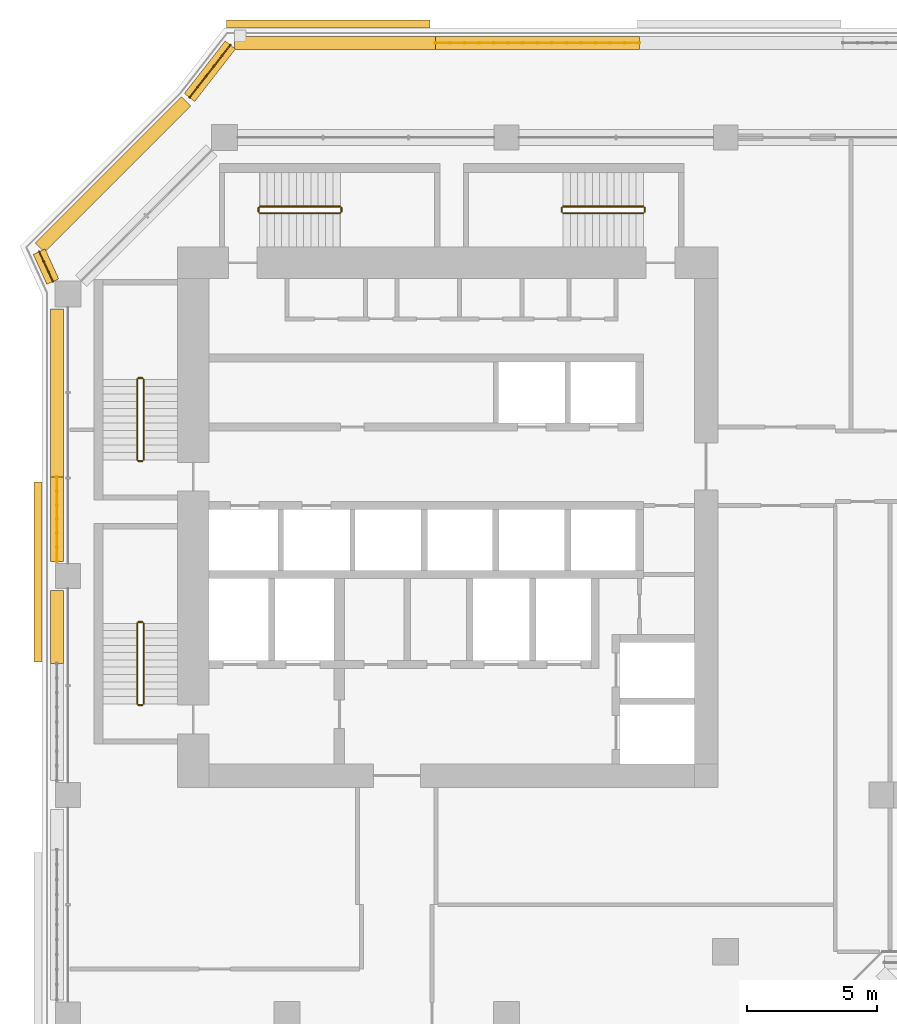
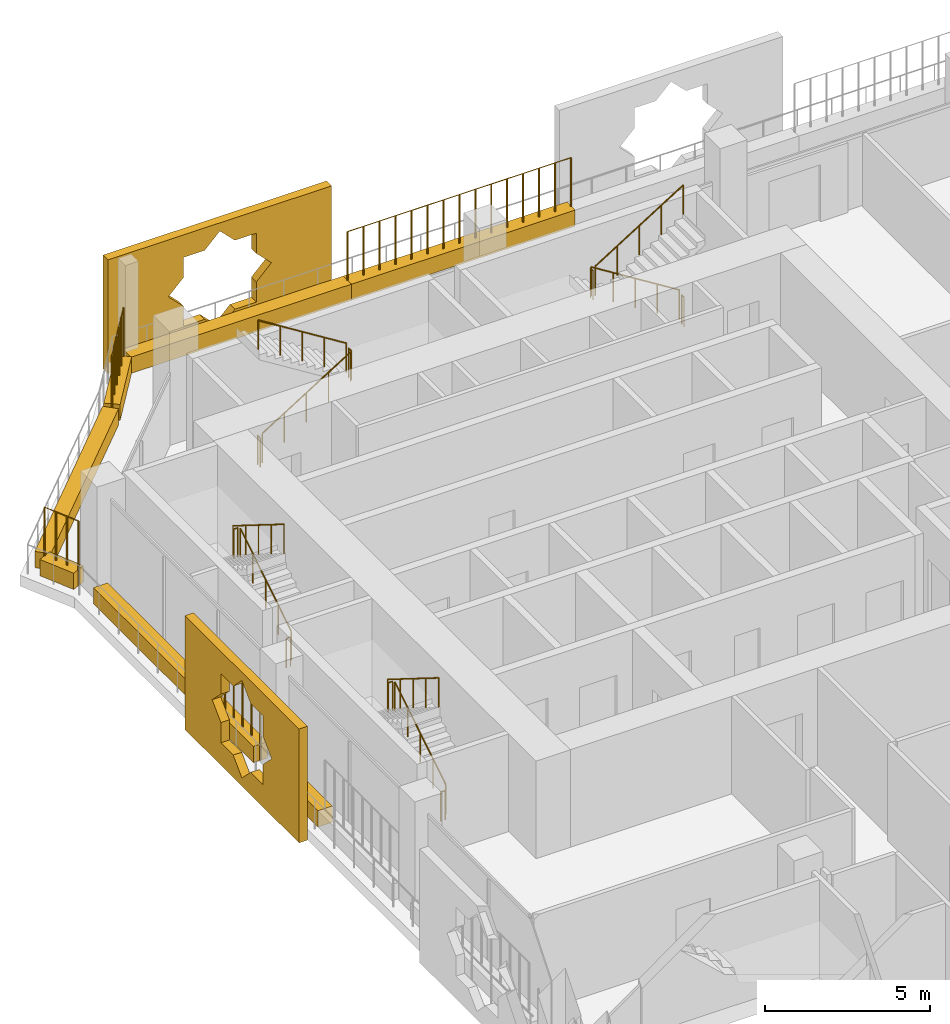
# One storey, part 20 of 22: 20 railings, 10 coverings.
"""IFC4 building model written with IfcOpenShell, lengths in metres."""

from ifc_helpers import new_model, si_unit, direction, frame, origin, origin_2d, place, context, subcontext, project, spatial, polyline, rectangle, circle, outline, extrude, material, material_profile, profile_set, type_object, element, save


model = new_model("IFC4")

# Units and contexts
model_context = context("Model", 3, precision=1e-05, world=origin(), true_north=direction((0.0, 1.0)))
body_context = subcontext(model_context, "Body", "Model", "MODEL_VIEW")
ifc_project = project(units=[si_unit("LENGTHUNIT", "METRE"), si_unit("AREAUNIT", "SQUARE_METRE"), si_unit("VOLUMEUNIT", "CUBIC_METRE"), si_unit("PLANEANGLEUNIT", "RADIAN"), si_unit("MASSUNIT", "GRAM", prefix="KILO")], contexts=[model_context])

# Site, building, storey
site_placement = place(None, origin())
site = spatial("IfcSite", under=ifc_project, at=site_placement, CompositionType="ELEMENT")
building_placement = place(site_placement, origin())
building = spatial("IfcBuilding", under=site, at=building_placement, Name="Kawkab Arch Medical Tower", CompositionType="ELEMENT")
storey_placement = place(building_placement, frame((0.0, 0.0, 196.199951171875)))
storey = spatial("IfcBuildingStorey", under=building, at=storey_placement, Name="L45", CompositionType="ELEMENT", Elevation=196.199951171875)

# Coverings
ifc_material_1 = material(Name="Bronze anodised aluminium mashrabiya panel, eight-point star pattern", Category="aluminium")
ifc_material_profile_1 = material_profile(ifc_material_1, outline(polyline([(-3.449951171875, -2.10009765625), (3.449951171875, -2.10009765625), (3.449951171875, 2.10009765625), (-3.449951171875, 2.10009765625), (-3.449951171875, -2.10009765625)]), holes=[polyline([(1.800048828125, 0.0), (1.272705078125, 0.527099609375), (1.272705078125, 1.272705078125), (0.527099609375, 1.272705078125), (0.0, 1.800048828125), (-0.527099609375, 1.272705078125), (-1.272705078125, 1.272705078125), (-1.272705078125, 0.527099609375), (-1.800048828125, 0.0), (-1.272705078125, -0.527099609375), (-1.272705078125, -1.272705078125), (-0.527099609375, -1.272705078125), (0.0, -1.800048828125), (0.527099609375, -1.272705078125), (1.272705078125, -1.272705078125), (1.272705078125, -0.527099609375), (1.800048828125, 0.0)])]), Name="Mashrabiya panel 6900x4200")
ifc_profile_set_1 = profile_set([ifc_material_profile_1], Name="Bronze anodised aluminium mashrabiya panel, eight-point star pattern")
covering_type_1 = type_object("IfcCoveringType", Name="Mashrabiya panel 6900 x 4200", PredefinedType="USERDEFINED", material=ifc_profile_set_1)
covering_1_placement = place(storey_placement, frame((-1.0, -16.64892578125, 1.699951171875), z_axis=(-1.0, 0.0, 0.0), x_axis=(0.0, -1.0, 0.0)))
element("IfcCovering", 1, at=covering_1_placement, inside=storey, type_object=covering_type_1, Name="Mashrabiya panel L45.LOG-01-01.4", ObjectType="SCREEN", PredefinedType="USERDEFINED", context=body_context, shape_type="SweptSolid", body=[
    extrude(outline(polyline([(-3.449951171875, -2.10009765625), (3.449951171875, -2.10009765625), (3.449951171875, 2.10009765625), (-3.449951171875, 2.10009765625), (-3.449951171875, -2.10009765625)]), holes=[polyline([(1.800048828125, 0.0), (1.272705078125, 0.527099609375), (1.272705078125, 1.272705078125), (0.527099609375, 1.272705078125), (0.0, 1.800048828125), (-0.527099609375, 1.272705078125), (-1.272705078125, 1.272705078125), (-1.272705078125, 0.527099609375), (-1.800048828125, 0.0), (-1.272705078125, -0.527099609375), (-1.272705078125, -1.272705078125), (-0.527099609375, -1.272705078125), (0.0, -1.800048828125), (0.527099609375, -1.272705078125), (1.272705078125, -1.272705078125), (1.272705078125, -0.527099609375), (1.800048828125, 0.0)])]), origin(), (0.0, 0.0, 1.0), 0.300048828125),
])
ifc_material_2 = material(Name="Bronze anodised aluminium mashrabiya panel, eight-point star pattern", Category="aluminium")
ifc_material_profile_2 = material_profile(ifc_material_2, outline(polyline([(-3.89990234375, -2.10009765625), (3.89990234375, -2.10009765625), (3.89990234375, 2.10009765625), (-3.89990234375, 2.10009765625), (-3.89990234375, -2.10009765625)]), holes=[polyline([(1.800048828125, 0.0), (1.272705078125, 0.527099609375), (1.272705078125, 1.272705078125), (0.527099609375, 1.272705078125), (0.0, 1.800048828125), (-0.527099609375, 1.272705078125), (-1.272705078125, 1.272705078125), (-1.272705078125, 0.527099609375), (-1.800048828125, 0.0), (-1.272705078125, -0.527099609375), (-1.272705078125, -1.272705078125), (-0.527099609375, -1.272705078125), (0.0, -1.800048828125), (0.527099609375, -1.272705078125), (1.272705078125, -1.272705078125), (1.272705078125, -0.527099609375), (1.800048828125, 0.0)])]), Name="Mashrabiya panel 7800x4200")
ifc_profile_set_2 = profile_set([ifc_material_profile_2], Name="Bronze anodised aluminium mashrabiya panel, eight-point star pattern")
covering_type_2 = type_object("IfcCoveringType", Name="Mashrabiya panel 7800 x 4200", PredefinedType="USERDEFINED", material=ifc_profile_set_2)
covering_2_placement = place(storey_placement, frame((9.967041015625, 4.199951171875, 1.699951171875), z_axis=(0.0, 1.0, 0.0), x_axis=(-1.0, 0.0, 0.0)))
element("IfcCovering", 2, at=covering_2_placement, inside=storey, type_object=covering_type_2, Name="Mashrabiya panel L45.LOG-01-01.5", ObjectType="SCREEN", PredefinedType="USERDEFINED", context=body_context, shape_type="SweptSolid", body=[
    extrude(outline(polyline([(-3.89990234375, -2.10009765625), (3.89990234375, -2.10009765625), (3.89990234375, 2.10009765625), (-3.89990234375, 2.10009765625), (-3.89990234375, -2.10009765625)]), holes=[polyline([(1.800048828125, 0.0), (1.272705078125, 0.527099609375), (1.272705078125, 1.272705078125), (0.527099609375, 1.272705078125), (0.0, 1.800048828125), (-0.527099609375, 1.272705078125), (-1.272705078125, 1.272705078125), (-1.272705078125, 0.527099609375), (-1.800048828125, 0.0), (-1.272705078125, -0.527099609375), (-1.272705078125, -1.272705078125), (-0.527099609375, -1.272705078125), (0.0, -1.800048828125), (0.527099609375, -1.272705078125), (1.272705078125, -1.272705078125), (1.272705078125, -0.527099609375), (1.800048828125, 0.0)])]), origin(), (0.0, 0.0, 1.0), 0.300048828125),
])
ifc_material_3 = material(Name="Planting soil in a precast trough", Category="concrete")
ifc_material_profile_3 = material_profile(ifc_material_3, rectangle(XDim=0.5, YDim=0.60009765625, at=origin_2d()), Name="Trough 500x600")
ifc_profile_set_3 = profile_set([ifc_material_profile_3], Name="Planting soil in a precast trough")
covering_type_3 = type_object("IfcCoveringType", Name="Planter trough 500 x 600", PredefinedType="USERDEFINED", material=ifc_profile_set_3)
covering_3_placement = place(storey_placement, frame((-0.419921875, -20.157958984375, 0.300048828125), z_axis=(0.0, 1.0, 0.0), x_axis=(-1.0, 0.0, 0.0)))
element("IfcCovering", 3, at=covering_3_placement, inside=storey, type_object=covering_type_3, Name="Planter L45.LOG-01-01.12", ObjectType="PLANTER", PredefinedType="USERDEFINED", context=body_context, shape_type="SweptSolid", body=[
    extrude(rectangle(XDim=0.5, YDim=0.60009765625, at=origin_2d()), origin(), (0.0, 0.0, 1.0), 2.802978515625),
])
covering_4_placement = place(storey_placement, frame((-0.419921875, -16.2451171875, 0.300048828125), z_axis=(0.0, 1.0, 0.0), x_axis=(-1.0, 0.0, 0.0)))
element("IfcCovering", 4, at=covering_4_placement, inside=storey, type_object=covering_type_3, Name="Planter L45.LOG-01-01.13", ObjectType="PLANTER", PredefinedType="USERDEFINED", context=body_context, shape_type="SweptSolid", body=[
    extrude(rectangle(XDim=0.5, YDim=0.60009765625, at=origin_2d()), origin(), (0.0, 0.0, 1.0), 3.22900390625),
])
covering_5_placement = place(storey_placement, frame((-0.419921875, -13.01611328125, 0.300048828125), z_axis=(0.0, 1.0, 0.0), x_axis=(-1.0, 0.0, 0.0)))
element("IfcCovering", 5, at=covering_5_placement, inside=storey, type_object=covering_type_3, Name="Planter L45.LOG-01-01.14", ObjectType="PLANTER", PredefinedType="USERDEFINED", context=body_context, shape_type="SweptSolid", body=[
    extrude(rectangle(XDim=0.5, YDim=0.60009765625, at=origin_2d()), origin(), (0.0, 0.0, 1.0), 6.43603515625),
])
covering_6_placement = place(storey_placement, frame((-0.580078125, -5.52294921875, 0.300048828125), z_axis=(-0.415089762627, 0.909780461959, 0.0), x_axis=(-0.909780461959, -0.415089762627, 0.0)))
element("IfcCovering", 6, at=covering_6_placement, inside=storey, type_object=covering_type_3, Name="Planter L45.LOG-01-01.15", ObjectType="PLANTER", PredefinedType="USERDEFINED", context=body_context, shape_type="SweptSolid", body=[
    extrude(rectangle(XDim=0.5, YDim=0.60009765625, at=origin_2d()), origin(), (0.0, 0.0, 1.0), 1.257568359375),
])
covering_7_placement = place(storey_placement, frame((-1.072998046875, -4.217041015625, 0.300048828125), z_axis=(0.707106781187, 0.707106781187, 0.0), x_axis=(-0.707106781187, 0.707106781187, 0.0)))
element("IfcCovering", 7, at=covering_7_placement, inside=storey, type_object=covering_type_3, Name="Planter L45.LOG-01-01.16", ObjectType="PLANTER", PredefinedType="USERDEFINED", context=body_context, shape_type="SweptSolid", body=[
    extrude(rectangle(XDim=0.5, YDim=0.60009765625, at=origin_2d()), origin(), (0.0, 0.0, 1.0), 7.919677734375),
])
covering_8_placement = place(storey_placement, frame((4.658935546875, 1.531982421875, 0.300048828125), z_axis=(0.61404021143, 0.789274742246, 0.0), x_axis=(-0.789274742246, 0.61404021143, 0.0)))
element("IfcCovering", 8, at=covering_8_placement, inside=storey, type_object=covering_type_3, Name="Planter L45.LOG-01-01.17", ObjectType="PLANTER", PredefinedType="USERDEFINED", context=body_context, shape_type="SweptSolid", body=[
    extrude(rectangle(XDim=0.5, YDim=0.60009765625, at=origin_2d()), origin(), (0.0, 0.0, 1.0), 2.54541015625),
])
covering_9_placement = place(storey_placement, frame((6.384033203125, 3.6201171875, 0.300048828125), z_axis=(1.0, 0.0, 0.0), x_axis=(0.0, 1.0, 0.0)))
element("IfcCovering", 9, at=covering_9_placement, inside=storey, type_object=covering_type_3, Name="Planter L45.LOG-01-01.18", ObjectType="PLANTER", PredefinedType="USERDEFINED", context=body_context, shape_type="SweptSolid", body=[
    extrude(rectangle(XDim=0.5, YDim=0.60009765625, at=origin_2d()), origin(), (0.0, 0.0, 1.0), 7.703857421875),
])
covering_10_placement = place(storey_placement, frame((14.087890625, 3.6201171875, 0.300048828125), z_axis=(1.0, 0.0, 0.0), x_axis=(0.0, 1.0, 0.0)))
element("IfcCovering", 10, at=covering_10_placement, inside=storey, type_object=covering_type_3, Name="Planter L45.LOG-01-01.19", ObjectType="PLANTER", PredefinedType="USERDEFINED", context=body_context, shape_type="SweptSolid", body=[
    extrude(rectangle(XDim=0.5, YDim=0.60009765625, at=origin_2d()), origin(), (0.0, 0.0, 1.0), 7.80517578125),
])

# Railings
ifc_material_4 = material(Name="Bronze anodised aluminium trellis for climbing plants", Category="aluminium")
railing_type_1 = type_object("IfcRailingType", Name="Planting trellis 2400", PredefinedType="USERDEFINED", material=ifc_material_4)
railing_1_placement = place(storey_placement, frame((-0.419921875, -16.2451171875, 0.0)))
element("IfcRailing", 11, at=railing_1_placement, inside=storey, type_object=railing_type_1, Name="Planting trellis L45.LOG-01-01.13", ObjectType="TRELLIS", PredefinedType="USERDEFINED", context=body_context, shape_type="SweptSolid", body=[
    extrude(circle(Radius=0.01513671875, at=origin_2d()), frame((0.0, 0.0, 2.384765625), z_axis=(0.0, 1.0, 0.0), x_axis=(-1.0, 0.0, 0.0)), (0.0, 0.0, 1.0), 3.22900390625),
    extrude(circle(Radius=0.030029296875, at=origin_2d()), origin(), (0.0, 0.0, 1.0), 2.369873046875),
    extrude(circle(Radius=0.030029296875, at=origin_2d()), frame((0.0, 0.5380859375, 0.0)), (0.0, 0.0, 1.0), 2.369873046875),
    extrude(circle(Radius=0.030029296875, at=origin_2d()), frame((0.0, 1.076416015625, 0.0)), (0.0, 0.0, 1.0), 2.369873046875),
    extrude(circle(Radius=0.030029296875, at=origin_2d()), frame((0.0, 1.614501953125, 0.0)), (0.0, 0.0, 1.0), 2.369873046875),
    extrude(circle(Radius=0.030029296875, at=origin_2d()), frame((0.0, 2.152587890625, 0.0)), (0.0, 0.0, 1.0), 2.369873046875),
    extrude(circle(Radius=0.030029296875, at=origin_2d()), frame((0.0, 2.69091796875, 0.0)), (0.0, 0.0, 1.0), 2.369873046875),
    extrude(circle(Radius=0.030029296875, at=origin_2d()), frame((0.0, 3.22900390625, 0.0)), (0.0, 0.0, 1.0), 2.369873046875),
])
railing_2_placement = place(storey_placement, frame((-0.580078125, -5.52294921875, 0.0)))
element("IfcRailing", 12, at=railing_2_placement, inside=storey, type_object=railing_type_1, Name="Planting trellis L45.LOG-01-01.15", ObjectType="TRELLIS", PredefinedType="USERDEFINED", context=body_context, shape_type="SweptSolid", body=[
    extrude(circle(Radius=0.01513671875, at=origin_2d()), frame((0.0, 0.0, 2.384765625), z_axis=(-0.415089762627, 0.909780461959, 0.0), x_axis=(-0.909780461959, -0.415089762627, 0.0)), (0.0, 0.0, 1.0), 1.257568359375),
    extrude(circle(Radius=0.030029296875, at=origin_2d()), origin(), (0.0, 0.0, 1.0), 2.369873046875),
    extrude(circle(Radius=0.030029296875, at=origin_2d()), frame((-0.174072265625, 0.38134765625, 0.0)), (0.0, 0.0, 1.0), 2.369873046875),
    extrude(circle(Radius=0.030029296875, at=origin_2d()), frame((-0.347900390625, 0.7626953125, 0.0)), (0.0, 0.0, 1.0), 2.369873046875),
    extrude(circle(Radius=0.030029296875, at=origin_2d()), frame((-0.52197265625, 1.14404296875, 0.0)), (0.0, 0.0, 1.0), 2.369873046875),
])
railing_3_placement = place(storey_placement, frame((4.658935546875, 1.531982421875, 0.0)))
element("IfcRailing", 13, at=railing_3_placement, inside=storey, type_object=railing_type_1, Name="Planting trellis L45.LOG-01-01.17", ObjectType="TRELLIS", PredefinedType="USERDEFINED", context=body_context, shape_type="SweptSolid", body=[
    extrude(circle(Radius=0.01513671875, at=origin_2d()), frame((0.0, 0.0, 2.384765625), z_axis=(0.61404021143, 0.789274742246, 0.0), x_axis=(-0.789274742246, 0.61404021143, 0.0)), (0.0, 0.0, 1.0), 2.54541015625),
    extrude(circle(Radius=0.030029296875, at=origin_2d()), origin(), (0.0, 0.0, 1.0), 2.369873046875),
    extrude(circle(Radius=0.030029296875, at=origin_2d()), frame((0.3125, 0.40185546875, 0.0)), (0.0, 0.0, 1.0), 2.369873046875),
    extrude(circle(Radius=0.030029296875, at=origin_2d()), frame((0.625244140625, 0.8037109375, 0.0)), (0.0, 0.0, 1.0), 2.369873046875),
    extrude(circle(Radius=0.030029296875, at=origin_2d()), frame((0.937744140625, 1.205322265625, 0.0)), (0.0, 0.0, 1.0), 2.369873046875),
    extrude(circle(Radius=0.030029296875, at=origin_2d()), frame((1.25048828125, 1.607177734375, 0.0)), (0.0, 0.0, 1.0), 2.369873046875),
    extrude(circle(Radius=0.030029296875, at=origin_2d()), frame((1.56298828125, 2.009033203125, 0.0)), (0.0, 0.0, 1.0), 2.369873046875),
])
railing_4_placement = place(storey_placement, frame((14.087890625, 3.6201171875, 0.0)))
element("IfcRailing", 14, at=railing_4_placement, inside=storey, type_object=railing_type_1, Name="Planting trellis L45.LOG-01-01.19", ObjectType="TRELLIS", PredefinedType="USERDEFINED", context=body_context, shape_type="SweptSolid", body=[
    extrude(circle(Radius=0.01513671875, at=origin_2d()), frame((0.0, 0.0, 2.384765625), z_axis=(1.0, 0.0, 0.0), x_axis=(0.0, 1.0, 0.0)), (0.0, 0.0, 1.0), 7.80517578125),
    extrude(circle(Radius=0.030029296875, at=origin_2d()), origin(), (0.0, 0.0, 1.0), 2.369873046875),
    extrude(circle(Radius=0.030029296875, at=origin_2d()), frame((0.5576171875, 0.0, 0.0)), (0.0, 0.0, 1.0), 2.369873046875),
    extrude(circle(Radius=0.030029296875, at=origin_2d()), frame((1.114990234375, 0.0, 0.0)), (0.0, 0.0, 1.0), 2.369873046875),
    extrude(circle(Radius=0.030029296875, at=origin_2d()), frame((1.672607421875, 0.0, 0.0)), (0.0, 0.0, 1.0), 2.369873046875),
    extrude(circle(Radius=0.030029296875, at=origin_2d()), frame((2.22998046875, 0.0, 0.0)), (0.0, 0.0, 1.0), 2.369873046875),
    extrude(circle(Radius=0.030029296875, at=origin_2d()), frame((2.78759765625, 0.0, 0.0)), (0.0, 0.0, 1.0), 2.369873046875),
    extrude(circle(Radius=0.030029296875, at=origin_2d()), frame((3.344970703125, 0.0, 0.0)), (0.0, 0.0, 1.0), 2.369873046875),
    extrude(circle(Radius=0.030029296875, at=origin_2d()), frame((3.902587890625, 0.0, 0.0)), (0.0, 0.0, 1.0), 2.369873046875),
    extrude(circle(Radius=0.030029296875, at=origin_2d()), frame((4.460205078125, 0.0, 0.0)), (0.0, 0.0, 1.0), 2.369873046875),
    extrude(circle(Radius=0.030029296875, at=origin_2d()), frame((5.017578125, 0.0, 0.0)), (0.0, 0.0, 1.0), 2.369873046875),
    extrude(circle(Radius=0.030029296875, at=origin_2d()), frame((5.5751953125, 0.0, 0.0)), (0.0, 0.0, 1.0), 2.369873046875),
    extrude(circle(Radius=0.030029296875, at=origin_2d()), frame((6.132568359375, 0.0, 0.0)), (0.0, 0.0, 1.0), 2.369873046875),
    extrude(circle(Radius=0.030029296875, at=origin_2d()), frame((6.690185546875, 0.0, 0.0)), (0.0, 0.0, 1.0), 2.369873046875),
    extrude(circle(Radius=0.030029296875, at=origin_2d()), frame((7.24755859375, 0.0, 0.0)), (0.0, 0.0, 1.0), 2.369873046875),
    extrude(circle(Radius=0.030029296875, at=origin_2d()), frame((7.80517578125, 0.0, 0.0)), (0.0, 0.0, 1.0), 2.369873046875),
])
ifc_material_5 = material(Name="Stainless steel", Category="steel")
railing_type_2 = type_object("IfcRailingType", Name="Stair guard 1100", PredefinedType="GUARDRAIL", material=ifc_material_5)
railing_5_placement = place(storey_placement, frame((2.89990234375, -12.35009765625, 0.175048828125)))
element("IfcRailing", 15, at=railing_5_placement, inside=storey, type_object=railing_type_2, Name="L45 ST1 stair guard 1", PredefinedType="GUARDRAIL", context=body_context, shape_type="SweptSolid", body=[
    extrude(circle(Radius=0.02392578125, at=origin_2d()), frame((0.0, 0.0, 1.076171875), z_axis=(0.0, 0.847998304005, 0.529998940003), x_axis=(-1.0, 0.0, 0.0)), (0.0, 0.0, 1.0), 3.632080078125),
    extrude(circle(Radius=0.02099609375, at=origin_2d()), origin(), (0.0, 0.0, 1.0), 1.052001953125),
    extrude(circle(Radius=0.02099609375, at=origin_2d()), frame((0.0, 0.77001953125, 0.481201171875)), (0.0, 0.0, 1.0), 1.052001953125),
    extrude(circle(Radius=0.02099609375, at=origin_2d()), frame((0.0, 1.5400390625, 0.96240234375)), (0.0, 0.0, 1.0), 1.052001953125),
    extrude(circle(Radius=0.02099609375, at=origin_2d()), frame((0.0, 2.31005859375, 1.44384765625)), (0.0, 0.0, 1.0), 1.052001953125),
    extrude(circle(Radius=0.02099609375, at=origin_2d()), frame((0.0, 3.080078125, 1.925048828125)), (0.0, 0.0, 1.0), 1.052001953125),
])
railing_6_placement = place(storey_placement, frame((2.85009765625, -9.219970703125, 2.10009765625)))
element("IfcRailing", 16, at=railing_6_placement, inside=storey, type_object=railing_type_2, Name="L45 ST1 stair guard 2", PredefinedType="GUARDRAIL", context=body_context, shape_type="SweptSolid", body=[
    extrude(circle(Radius=0.02392578125, at=origin_2d()), frame((0.0, 0.0, 1.076171875), z_axis=(-1.0, 0.0, 0.0), x_axis=(0.0, -1.0, 0.0)), (0.0, 0.0, 1.0), 0.150146484375),
    extrude(circle(Radius=0.02099609375, at=origin_2d()), origin(), (0.0, 0.0, 1.0), 1.052001953125),
    extrude(circle(Radius=0.02099609375, at=origin_2d()), frame((-0.150146484375, 0.0, 0.0)), (0.0, 0.0, 1.0), 1.052001953125),
])
railing_7_placement = place(storey_placement, frame((2.64990234375, -9.27001953125, 2.275146484375)))
element("IfcRailing", 17, at=railing_7_placement, inside=storey, type_object=railing_type_2, Name="L45 ST1 stair guard 3", PredefinedType="GUARDRAIL", context=body_context, shape_type="SweptSolid", body=[
    extrude(circle(Radius=0.02392578125, at=origin_2d()), frame((0.0, 0.0, 1.076171875), z_axis=(0.0, -0.848028513186, 0.529950602248), x_axis=(1.0, 0.0, 0.0)), (0.0, 0.0, 1.0), 3.632080078125),
    extrude(circle(Radius=0.02099609375, at=origin_2d()), origin(), (0.0, 0.0, 1.0), 1.052001953125),
    extrude(circle(Radius=0.02099609375, at=origin_2d()), frame((0.0, -0.77001953125, 0.481201171875)), (0.0, 0.0, 1.0), 1.052001953125),
    extrude(circle(Radius=0.02099609375, at=origin_2d()), frame((0.0, -1.5400390625, 0.96240234375)), (0.0, 0.0, 1.0), 1.052001953125),
    extrude(circle(Radius=0.02099609375, at=origin_2d()), frame((0.0, -2.31005859375, 1.443603515625)), (0.0, 0.0, 1.0), 1.052001953125),
    extrude(circle(Radius=0.02099609375, at=origin_2d()), frame((0.0, -3.080078125, 1.9248046875)), (0.0, 0.0, 1.0), 1.052001953125),
])
railing_8_placement = place(storey_placement, frame((2.85009765625, -12.39990234375, 0.0)))
element("IfcRailing", 18, at=railing_8_placement, inside=storey, type_object=railing_type_2, Name="L45 ST1 stair guard 4", PredefinedType="GUARDRAIL", context=body_context, shape_type="SweptSolid", body=[
    extrude(circle(Radius=0.02392578125, at=origin_2d()), frame((0.0, 0.0, 1.076171875), z_axis=(-1.0, 0.0, 0.0), x_axis=(0.0, -1.0, 0.0)), (0.0, 0.0, 1.0), 0.150146484375),
    extrude(circle(Radius=0.02099609375, at=origin_2d()), origin(), (0.0, 0.0, 1.0), 1.052001953125),
    extrude(circle(Radius=0.02099609375, at=origin_2d()), frame((-0.150146484375, 0.0, 0.0)), (0.0, 0.0, 1.0), 1.052001953125),
])
railing_9_placement = place(storey_placement, frame((2.89990234375, -21.699951171875, 0.175048828125)))
element("IfcRailing", 19, at=railing_9_placement, inside=storey, type_object=railing_type_2, Name="L45 ST2 stair guard 1", PredefinedType="GUARDRAIL", context=body_context, shape_type="SweptSolid", body=[
    extrude(circle(Radius=0.02392578125, at=origin_2d()), frame((0.0, 0.0, 1.076171875), z_axis=(0.0, 0.847979421464, 0.530029150871), x_axis=(-1.0, 0.0, 0.0)), (0.0, 0.0, 1.0), 3.632080078125),
    extrude(circle(Radius=0.02099609375, at=origin_2d()), origin(), (0.0, 0.0, 1.0), 1.052001953125),
    extrude(circle(Radius=0.02099609375, at=origin_2d()), frame((0.0, 0.77001953125, 0.481201171875)), (0.0, 0.0, 1.0), 1.052001953125),
    extrude(circle(Radius=0.02099609375, at=origin_2d()), frame((0.0, 1.5400390625, 0.96240234375)), (0.0, 0.0, 1.0), 1.052001953125),
    extrude(circle(Radius=0.02099609375, at=origin_2d()), frame((0.0, 2.309814453125, 1.44384765625)), (0.0, 0.0, 1.0), 1.052001953125),
    extrude(circle(Radius=0.02099609375, at=origin_2d()), frame((0.0, 3.079833984375, 1.925048828125)), (0.0, 0.0, 1.0), 1.052001953125),
])
railing_10_placement = place(storey_placement, frame((2.85009765625, -18.570068359375, 2.10009765625)))
element("IfcRailing", 20, at=railing_10_placement, inside=storey, type_object=railing_type_2, Name="L45 ST2 stair guard 2", PredefinedType="GUARDRAIL", context=body_context, shape_type="SweptSolid", body=[
    extrude(circle(Radius=0.02392578125, at=origin_2d()), frame((0.0, 0.0, 1.076171875), z_axis=(-1.0, 0.0, 0.0), x_axis=(0.0, -1.0, 0.0)), (0.0, 0.0, 1.0), 0.150146484375),
    extrude(circle(Radius=0.02099609375, at=origin_2d()), origin(), (0.0, 0.0, 1.0), 1.052001953125),
    extrude(circle(Radius=0.02099609375, at=origin_2d()), frame((-0.150146484375, 0.0, 0.0)), (0.0, 0.0, 1.0), 1.052001953125),
])
railing_11_placement = place(storey_placement, frame((2.64990234375, -18.6201171875, 2.275146484375)))
element("IfcRailing", 21, at=railing_11_placement, inside=storey, type_object=railing_type_2, Name="L45 ST2 stair guard 3", PredefinedType="GUARDRAIL", context=body_context, shape_type="SweptSolid", body=[
    extrude(circle(Radius=0.02392578125, at=origin_2d()), frame((0.0, 0.0, 1.076171875), z_axis=(0.0, -0.848009633417, 0.529980812513), x_axis=(1.0, 0.0, 0.0)), (0.0, 0.0, 1.0), 3.6318359375),
    extrude(circle(Radius=0.02099609375, at=origin_2d()), origin(), (0.0, 0.0, 1.0), 1.052001953125),
    extrude(circle(Radius=0.02099609375, at=origin_2d()), frame((0.0, -0.77001953125, 0.481201171875)), (0.0, 0.0, 1.0), 1.052001953125),
    extrude(circle(Radius=0.02099609375, at=origin_2d()), frame((0.0, -1.5400390625, 0.96240234375)), (0.0, 0.0, 1.0), 1.052001953125),
    extrude(circle(Radius=0.02099609375, at=origin_2d()), frame((0.0, -2.309814453125, 1.443603515625)), (0.0, 0.0, 1.0), 1.052001953125),
    extrude(circle(Radius=0.02099609375, at=origin_2d()), frame((0.0, -3.079833984375, 1.9248046875)), (0.0, 0.0, 1.0), 1.052001953125),
])
railing_12_placement = place(storey_placement, frame((2.85009765625, -21.75, 0.0)))
element("IfcRailing", 22, at=railing_12_placement, inside=storey, type_object=railing_type_2, Name="L45 ST2 stair guard 4", PredefinedType="GUARDRAIL", context=body_context, shape_type="SweptSolid", body=[
    extrude(circle(Radius=0.02392578125, at=origin_2d()), frame((0.0, 0.0, 1.076171875), z_axis=(-1.0, 0.0, 0.0), x_axis=(0.0, -1.0, 0.0)), (0.0, 0.0, 1.0), 0.150146484375),
    extrude(circle(Radius=0.02099609375, at=origin_2d()), origin(), (0.0, 0.0, 1.0), 1.052001953125),
    extrude(circle(Radius=0.02099609375, at=origin_2d()), frame((-0.150146484375, 0.0, 0.0)), (0.0, 0.0, 1.0), 1.052001953125),
])
railing_13_placement = place(storey_placement, frame((7.35009765625, -2.89990234375, 0.175048828125)))
element("IfcRailing", 23, at=railing_13_placement, inside=storey, type_object=railing_type_2, Name="L45 ST3 stair guard 1", PredefinedType="GUARDRAIL", context=body_context, shape_type="SweptSolid", body=[
    extrude(circle(Radius=0.02392578125, at=origin_2d()), frame((0.0, 0.0, 1.076171875), z_axis=(0.847979421464, 0.0, 0.530029150871), x_axis=(0.0, 1.0, 0.0)), (0.0, 0.0, 1.0), 3.632080078125),
    extrude(circle(Radius=0.02099609375, at=origin_2d()), origin(), (0.0, 0.0, 1.0), 1.052001953125),
    extrude(circle(Radius=0.02099609375, at=origin_2d()), frame((0.77001953125, 0.0, 0.481201171875)), (0.0, 0.0, 1.0), 1.052001953125),
    extrude(circle(Radius=0.02099609375, at=origin_2d()), frame((1.5400390625, 0.0, 0.96240234375)), (0.0, 0.0, 1.0), 1.052001953125),
    extrude(circle(Radius=0.02099609375, at=origin_2d()), frame((2.309814453125, 0.0, 1.44384765625)), (0.0, 0.0, 1.0), 1.052001953125),
    extrude(circle(Radius=0.02099609375, at=origin_2d()), frame((3.079833984375, 0.0, 1.925048828125)), (0.0, 0.0, 1.0), 1.052001953125),
])
railing_14_placement = place(storey_placement, frame((10.47998046875, -2.85009765625, 2.10009765625)))
element("IfcRailing", 24, at=railing_14_placement, inside=storey, type_object=railing_type_2, Name="L45 ST3 stair guard 2", PredefinedType="GUARDRAIL", context=body_context, shape_type="SweptSolid", body=[
    extrude(circle(Radius=0.02392578125, at=origin_2d()), frame((0.0, 0.0, 1.076171875), z_axis=(0.0, 1.0, 0.0), x_axis=(-1.0, 0.0, 0.0)), (0.0, 0.0, 1.0), 0.150146484375),
    extrude(circle(Radius=0.02099609375, at=origin_2d()), origin(), (0.0, 0.0, 1.0), 1.052001953125),
    extrude(circle(Radius=0.02099609375, at=origin_2d()), frame((0.0, 0.150146484375, 0.0)), (0.0, 0.0, 1.0), 1.052001953125),
])
railing_15_placement = place(storey_placement, frame((10.429931640625, -2.64990234375, 2.275146484375)))
element("IfcRailing", 25, at=railing_15_placement, inside=storey, type_object=railing_type_2, Name="L45 ST3 stair guard 3", PredefinedType="GUARDRAIL", context=body_context, shape_type="SweptSolid", body=[
    extrude(circle(Radius=0.02392578125, at=origin_2d()), frame((0.0, 0.0, 1.076171875), z_axis=(-0.848009633417, 0.0, 0.529980812513), x_axis=(0.0, -1.0, 0.0)), (0.0, 0.0, 1.0), 3.6318359375),
    extrude(circle(Radius=0.02099609375, at=origin_2d()), origin(), (0.0, 0.0, 1.0), 1.052001953125),
    extrude(circle(Radius=0.02099609375, at=origin_2d()), frame((-0.77001953125, 0.0, 0.481201171875)), (0.0, 0.0, 1.0), 1.052001953125),
    extrude(circle(Radius=0.02099609375, at=origin_2d()), frame((-1.5400390625, 0.0, 0.96240234375)), (0.0, 0.0, 1.0), 1.052001953125),
    extrude(circle(Radius=0.02099609375, at=origin_2d()), frame((-2.309814453125, 0.0, 1.443603515625)), (0.0, 0.0, 1.0), 1.052001953125),
    extrude(circle(Radius=0.02099609375, at=origin_2d()), frame((-3.079833984375, 0.0, 1.9248046875)), (0.0, 0.0, 1.0), 1.052001953125),
])
railing_16_placement = place(storey_placement, frame((7.300048828125, -2.85009765625, 0.0)))
element("IfcRailing", 26, at=railing_16_placement, inside=storey, type_object=railing_type_2, Name="L45 ST3 stair guard 4", PredefinedType="GUARDRAIL", context=body_context, shape_type="SweptSolid", body=[
    extrude(circle(Radius=0.02392578125, at=origin_2d()), frame((0.0, 0.0, 1.076171875), z_axis=(0.0, 1.0, 0.0), x_axis=(-1.0, 0.0, 0.0)), (0.0, 0.0, 1.0), 0.150146484375),
    extrude(circle(Radius=0.02099609375, at=origin_2d()), origin(), (0.0, 0.0, 1.0), 1.052001953125),
    extrude(circle(Radius=0.02099609375, at=origin_2d()), frame((0.0, 0.150146484375, 0.0)), (0.0, 0.0, 1.0), 1.052001953125),
])
railing_17_placement = place(storey_placement, frame((22.050048828125, -2.64990234375, 0.175048828125)))
element("IfcRailing", 27, at=railing_17_placement, inside=storey, type_object=railing_type_2, Name="L45 ST4 stair guard 1", PredefinedType="GUARDRAIL", context=body_context, shape_type="SweptSolid", body=[
    extrude(circle(Radius=0.02392578125, at=origin_2d()), frame((0.0, 0.0, 1.076171875), z_axis=(-0.847998304005, 0.0, 0.529998940003), x_axis=(0.0, -1.0, 0.0)), (0.0, 0.0, 1.0), 3.632080078125),
    extrude(circle(Radius=0.02099609375, at=origin_2d()), origin(), (0.0, 0.0, 1.0), 1.052001953125),
    extrude(circle(Radius=0.02099609375, at=origin_2d()), frame((-0.77001953125, 0.0, 0.481201171875)), (0.0, 0.0, 1.0), 1.052001953125),
    extrude(circle(Radius=0.02099609375, at=origin_2d()), frame((-1.5400390625, 0.0, 0.96240234375)), (0.0, 0.0, 1.0), 1.052001953125),
    extrude(circle(Radius=0.02099609375, at=origin_2d()), frame((-2.31005859375, 0.0, 1.44384765625)), (0.0, 0.0, 1.0), 1.052001953125),
    extrude(circle(Radius=0.02099609375, at=origin_2d()), frame((-3.080078125, 0.0, 1.925048828125)), (0.0, 0.0, 1.0), 1.052001953125),
])
railing_18_placement = place(storey_placement, frame((18.919921875, -2.699951171875, 2.10009765625)))
element("IfcRailing", 28, at=railing_18_placement, inside=storey, type_object=railing_type_2, Name="L45 ST4 stair guard 2", PredefinedType="GUARDRAIL", context=body_context, shape_type="SweptSolid", body=[
    extrude(circle(Radius=0.02392578125, at=origin_2d()), frame((0.0, 0.0, 1.076171875), z_axis=(0.0, -1.0, 0.0), x_axis=(1.0, 0.0, 0.0)), (0.0, 0.0, 1.0), 0.150146484375),
    extrude(circle(Radius=0.02099609375, at=origin_2d()), origin(), (0.0, 0.0, 1.0), 1.052001953125),
    extrude(circle(Radius=0.02099609375, at=origin_2d()), frame((0.0, -0.150146484375, 0.0)), (0.0, 0.0, 1.0), 1.052001953125),
])
railing_19_placement = place(storey_placement, frame((18.969970703125, -2.89990234375, 2.275146484375)))
element("IfcRailing", 29, at=railing_19_placement, inside=storey, type_object=railing_type_2, Name="L45 ST4 stair guard 3", PredefinedType="GUARDRAIL", context=body_context, shape_type="SweptSolid", body=[
    extrude(circle(Radius=0.02392578125, at=origin_2d()), frame((0.0, 0.0, 1.076171875), z_axis=(0.848028513186, 0.0, 0.529950602248), x_axis=(0.0, 1.0, 0.0)), (0.0, 0.0, 1.0), 3.632080078125),
    extrude(circle(Radius=0.02099609375, at=origin_2d()), origin(), (0.0, 0.0, 1.0), 1.052001953125),
    extrude(circle(Radius=0.02099609375, at=origin_2d()), frame((0.77001953125, 0.0, 0.481201171875)), (0.0, 0.0, 1.0), 1.052001953125),
    extrude(circle(Radius=0.02099609375, at=origin_2d()), frame((1.5400390625, 0.0, 0.96240234375)), (0.0, 0.0, 1.0), 1.052001953125),
    extrude(circle(Radius=0.02099609375, at=origin_2d()), frame((2.31005859375, 0.0, 1.443603515625)), (0.0, 0.0, 1.0), 1.052001953125),
    extrude(circle(Radius=0.02099609375, at=origin_2d()), frame((3.080078125, 0.0, 1.9248046875)), (0.0, 0.0, 1.0), 1.052001953125),
])
railing_20_placement = place(storey_placement, frame((22.10009765625, -2.699951171875, 0.0)))
element("IfcRailing", 30, at=railing_20_placement, inside=storey, type_object=railing_type_2, Name="L45 ST4 stair guard 4", PredefinedType="GUARDRAIL", context=body_context, shape_type="SweptSolid", body=[
    extrude(circle(Radius=0.02392578125, at=origin_2d()), frame((0.0, 0.0, 1.076171875), z_axis=(0.0, -1.0, 0.0), x_axis=(1.0, 0.0, 0.0)), (0.0, 0.0, 1.0), 0.150146484375),
    extrude(circle(Radius=0.02099609375, at=origin_2d()), origin(), (0.0, 0.0, 1.0), 1.052001953125),
    extrude(circle(Radius=0.02099609375, at=origin_2d()), frame((0.0, -0.150146484375, 0.0)), (0.0, 0.0, 1.0), 1.052001953125),
])

save(model, "model.ifc")
